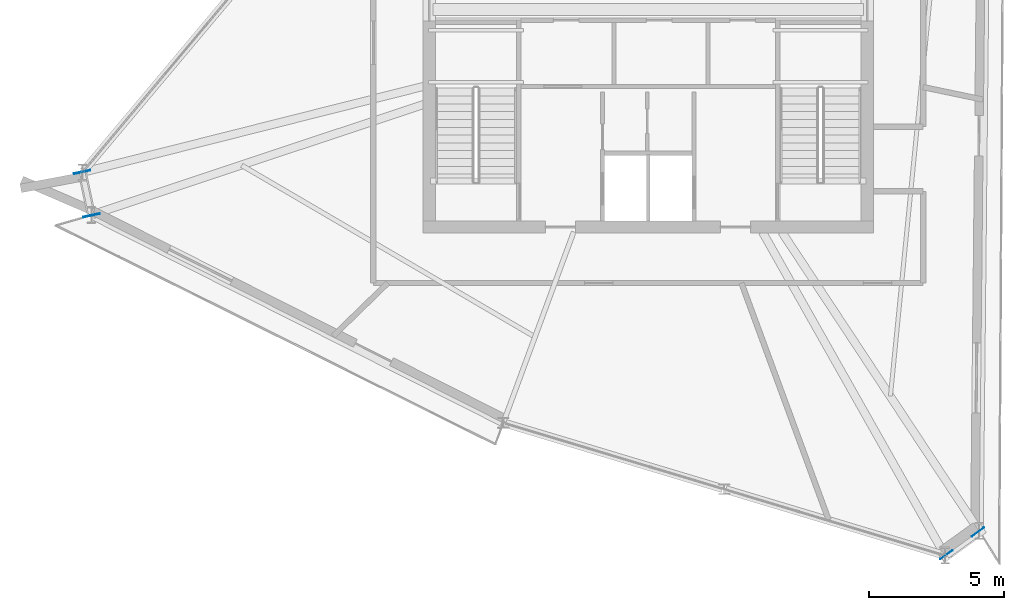
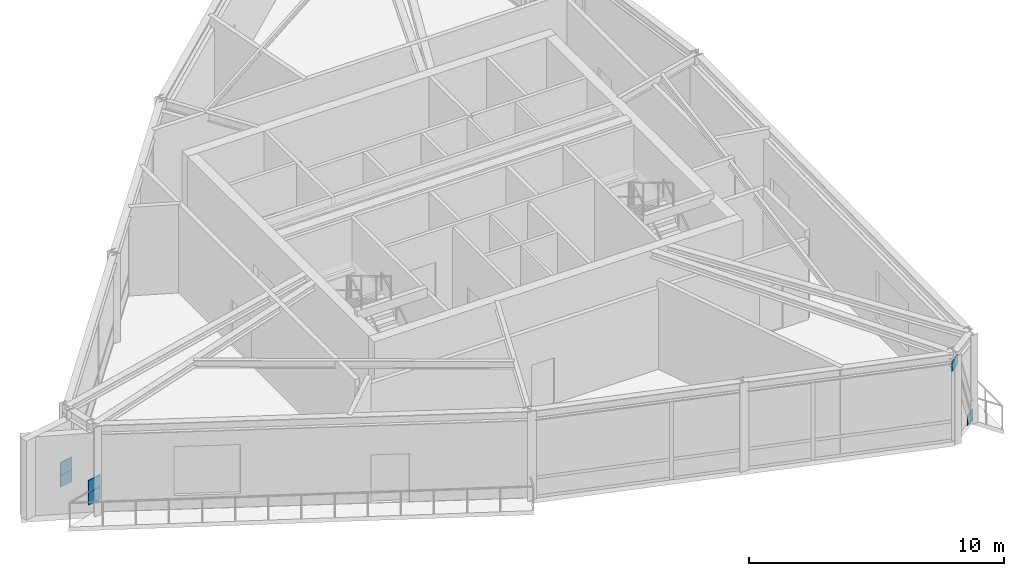
# One storey, part 16 of 23: 6 plates.
"""IFC4 building model written with IfcOpenShell, lengths in metres."""

from ifc_helpers import new_model, si_unit, direction, frame, origin, origin_2d, place, context, subcontext, project, spatial, rectangle, extrude, source, transform, mapped, material, type_object, element, save


model = new_model("IFC4")

# Units and contexts
model_context = context("Model", 3, precision=1e-05, world=origin(), true_north=direction((0.0, 1.0)))
body_context = subcontext(model_context, "Body", "Model", "MODEL_VIEW")
ifc_project = project(units=[si_unit("LENGTHUNIT", "METRE"), si_unit("AREAUNIT", "SQUARE_METRE"), si_unit("VOLUMEUNIT", "CUBIC_METRE"), si_unit("PLANEANGLEUNIT", "RADIAN"), si_unit("MASSUNIT", "GRAM", prefix="KILO")], contexts=[model_context])

# Site, building, storey
site_placement = place(None, origin())
site = spatial("IfcSite", under=ifc_project, at=site_placement, CompositionType="ELEMENT")
building_placement = place(site_placement, origin())
building = spatial("IfcBuilding", under=site, at=building_placement, Name="Olszyna Solenne Hotel", CompositionType="ELEMENT")
storey_placement = place(building_placement, frame((0.0, 0.0, 290.5)))
storey = spatial("IfcBuildingStorey", under=building, at=storey_placement, Name="L77", CompositionType="ELEMENT", Elevation=290.5)

# Plates
ifc_material_1 = material(Name="Steel S460M", Category="steel")
plate_type_1 = type_object("IfcPlateType", Name="GP-CAP2", PredefinedType="USERDEFINED", material=ifc_material_1)
shared_shape_1 = source(origin(), body_context, "Body", "SweptSolid", [
    extrude(rectangle(XDim=0.030029296875, YDim=0.6201171875, at=origin_2d()), origin(), (0.0, 0.0, 1.0), 0.6201171875),
])
for number, where, z_axis, x_axis, name in (
    (1, (16.99560546875, 21.31884765625, 1.0400390625), (0.0, 0.0, 1.0), (0.209618562904, -0.977783236759, 0.0), "Hollow section end-cap plate GP-CAP2 CP-PR-M-L77-PR1-1"),
    (2, (17.340576171875, 19.7099609375, 1.0400390625), (0.0, 0.0, 1.0), (0.209618562904, -0.977783236759, 0.0), "Hollow section end-cap plate GP-CAP2 CP-PR-M-L77-PR1-2"),
    (3, (16.99560546875, 21.31884765625, 0.469970703125), (0.0, 0.0, 1.0), (0.209618562904, -0.977783236759, 0.0), "Hollow section end-cap plate GP-CAP2 CP-PR-M-L77-PR2-1"),
    (4, (17.340576171875, 19.7099609375, 0.469970703125), (0.0, 0.0, 1.0), (0.209618562904, -0.977783236759, 0.0), "Hollow section end-cap plate GP-CAP2 CP-PR-M-L77-PR2-2"),
):
    element("IfcPlate", number, at=place(storey_placement, frame(where, z_axis=z_axis, x_axis=x_axis)), inside=storey, type_object=plate_type_1, Name=name, ObjectType="GUSSET_PLATE", PredefinedType="USERDEFINED", context=body_context, shape_type="MappedRepresentation", body=[
        mapped(shared_shape_1, transform((0.0, 0.0, 0.0), x_axis=(1.0, 0.0, 0.0), y_axis=(0.0, 1.0, 0.0), z_axis=(0.0, 0.0, 1.0), scale=1.0)),
    ])
ifc_material_2 = material(Name="Steel S355J2", Category="steel")
plate_type_2 = type_object("IfcPlateType", Name="GP-ND2", PredefinedType="USERDEFINED", material=ifc_material_2)
shared_shape_2 = source(origin(), body_context, "Body", "SweptSolid", [
    extrude(rectangle(XDim=0.56005859375, YDim=0.02001953125, at=origin_2d()), origin(), (0.0, 0.0, 1.0), 0.47998046875),
])
for number, where, z_axis, x_axis, name in (
    (5, (50.23583984375, 7.966064453125, -0.1005859375), (0.0, 0.0, 1.0), (-0.811063818989, -0.584957674987, 0.0), "Brace end connection gusset plate GP-ND2 EP-BR-L77-3-1"),
    (6, (49.059814453125, 7.117919921875, 3.429443359375), (0.0, 0.0, 1.0), (-0.811063818989, -0.584957674987, 0.0), "Brace end connection gusset plate GP-ND2 EP-BR-L77-3-2"),
):
    element("IfcPlate", number, at=place(storey_placement, frame(where, z_axis=z_axis, x_axis=x_axis)), inside=storey, type_object=plate_type_2, Name=name, ObjectType="GUSSET_PLATE", PredefinedType="USERDEFINED", context=body_context, shape_type="MappedRepresentation", body=[
        mapped(shared_shape_2, transform((0.0, 0.0, 0.0), x_axis=(1.0, 0.0, 0.0), y_axis=(0.0, 1.0, 0.0), z_axis=(0.0, 0.0, 1.0), scale=1.0)),
    ])

save(model, "model.ifc")
